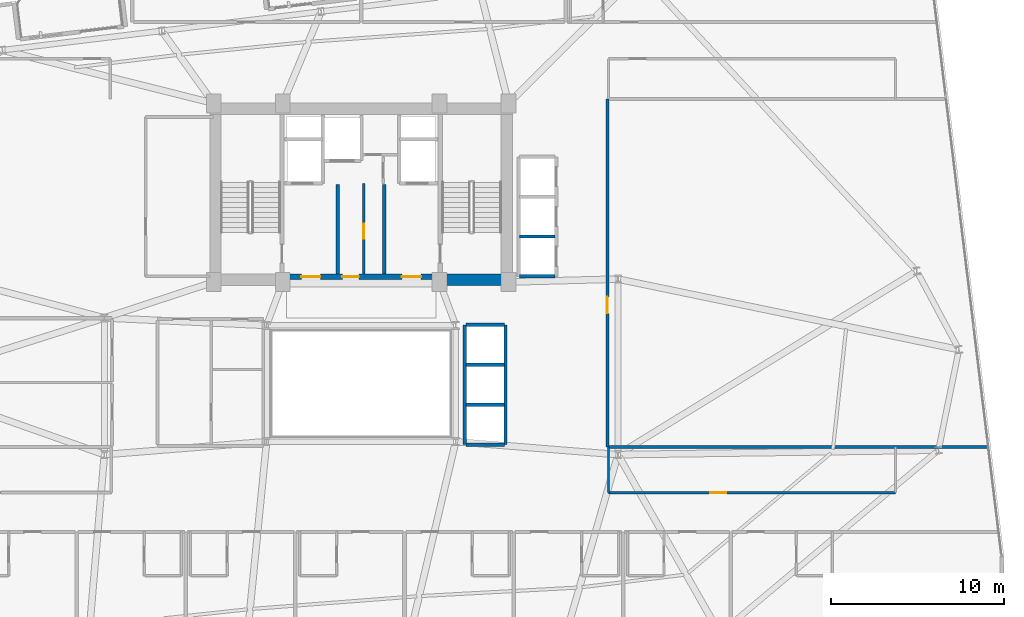
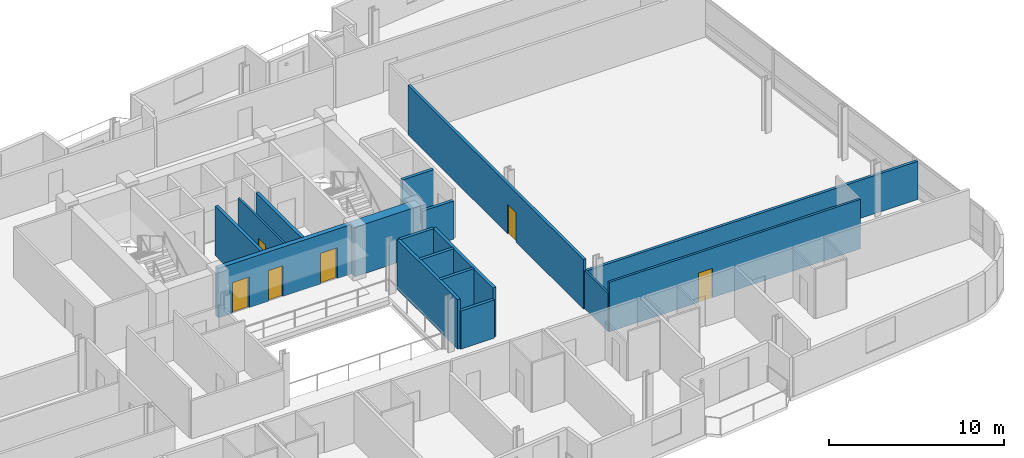
# One storey, part 16 of 23: 17 walls, 6 doors, 6 openings.
"""IFC4 building model written with IfcOpenShell, lengths in metres."""

from ifc_helpers import new_model, si_unit, direction, frame, frame_2d, origin, place, context, subcontext, project, spatial, rectangle, extrude, material, layer, layer_set, type_object, element, fill, save


model = new_model("IFC4")

# Units and contexts
model_context = context("Model", 3, precision=1e-05, world=origin(), true_north=direction((0.0, 1.0)))
body_context = subcontext(model_context, "Body", "Model", "MODEL_VIEW")
ifc_project = project(units=[si_unit("LENGTHUNIT", "METRE"), si_unit("AREAUNIT", "SQUARE_METRE"), si_unit("VOLUMEUNIT", "CUBIC_METRE"), si_unit("PLANEANGLEUNIT", "RADIAN"), si_unit("MASSUNIT", "GRAM", prefix="KILO")], contexts=[model_context])

# Site, building, storey
site_placement = place(None, origin())
site = spatial("IfcSite", under=ifc_project, at=site_placement, CompositionType="ELEMENT")
building_placement = place(site_placement, origin())
building = spatial("IfcBuilding", under=site, at=building_placement, Name="Varnelok Gate Tower", CompositionType="ELEMENT")
storey_placement = place(building_placement, frame((0.0, 0.0, 200.5)))
storey = spatial("IfcBuildingStorey", under=building, at=storey_placement, Name="L51", CompositionType="ELEMENT", Elevation=200.5)

# Wall, opening, door
ifc_material_1 = material(Name="Gypsum Plasterboard Acoustic Partition", Category="gypsum")
ifc_layer_1 = layer(ifc_material_1, 0.179931640625)
ifc_layer_set_1 = layer_set([ifc_layer_1], Name="Gypsum Plasterboard Acoustic Partition")
wall_type_1 = type_object("IfcWallType", Name="PW-CORR-180", PredefinedType="PARTITIONING", material=ifc_layer_set_1)
wall_1_placement = place(storey_placement, frame((53.389892578125, 19.239990234375, 0.0), z_axis=(0.0, 0.0, 1.0), x_axis=(0.0, 1.0, 0.0)))
wall_1 = element("IfcWall", 1, at=wall_1_placement, inside=storey, type_object=wall_type_1, Name="Interior Partition", PredefinedType="PARTITIONING", context=body_context, shape_type="SweptSolid", body=[
    extrude(rectangle(XDim=20.06005859375, YDim=0.179931640625, at=frame_2d((10.030029296875, 0.0))), origin(), (0.0, 0.0, 1.0), 3.449951171875),
])
opening_1_placement = place(wall_1_placement, frame((7.699951171875, 0.0, 0.0)))
opening_1 = element("IfcOpeningElement", 2, at=opening_1_placement, cuts=wall_1, Name="Opening D-I2", PredefinedType="OPENING", context=body_context, shape_type="SweptSolid", body=[
    extrude(rectangle(XDim=0.949951171875, YDim=2.050048828125, at=frame_2d((0.47509765625, 1.02490234375))), frame((0.0, 0.099853515625, 0.0), z_axis=(0.0, -1.0, 0.0), x_axis=(1.0, 0.0, 0.0)), (0.0, 0.0, 1.0), 0.199951171875),
])
ifc_material_2 = material(Name="Engineered Hardwood Timber", Category="wood")
door_type_1 = type_object("IfcDoorType", Name="DR-INT-950", OperationType="NOTDEFINED", PredefinedType="DOOR", material=ifc_material_2)
door_1_placement = place(opening_1_placement, origin())
door_1 = element("IfcDoor", 3, at=door_1_placement, inside=storey, type_object=door_type_1, Name="L51 East Club Door", OperationType="SINGLE_SWING_RIGHT", OverallHeight=2.050048828125, OverallWidth=0.949951171875, PredefinedType="DOOR", context=body_context, shape_type="SweptSolid", body=[
    extrude(rectangle(XDim=0.949951171875, YDim=2.050048828125, at=frame_2d((0.47509765625, 1.02490234375))), frame((0.0, 0.02490234375, 0.0), z_axis=(0.0, -1.0, 0.0), x_axis=(1.0, 0.0, 0.0)), (0.0, 0.0, 1.0), 0.050048828125),
])
fill(opening_1, door_1)

# Walls
wall_2_placement = place(storey_placement, frame((53.389892578125, 19.239990234375, 0.0), z_axis=(0.0, 0.0, 1.0), x_axis=(1.0, 0.0, 0.0)))
element("IfcWall", 4, at=wall_2_placement, inside=storey, type_object=wall_type_1, Name="Interior Partition", PredefinedType="PARTITIONING", context=body_context, shape_type="SweptSolid", body=[
    extrude(rectangle(XDim=21.922119140625, YDim=0.179931640625, at=frame_2d((10.9609375, 0.0))), origin(), (0.0, 0.0, 1.0), 2.662109375),
])
ifc_layer_2 = layer(ifc_material_1, 0.125)
ifc_layer_set_2 = layer_set([ifc_layer_2], Name="Gypsum Plasterboard Acoustic Partition")
wall_type_2 = type_object("IfcWallType", Name="PW-PART-125", PredefinedType="PARTITIONING", material=ifc_layer_set_2)
wall_3_placement = place(storey_placement, frame((53.449951171875, 16.610107421875, 0.0), z_axis=(0.0, 0.0, 1.0), x_axis=(0.0, 1.0, 0.0)))
element("IfcWall", 5, at=wall_3_placement, inside=storey, type_object=wall_type_2, Name="Interior Partition", PredefinedType="PARTITIONING", context=body_context, shape_type="SweptSolid", body=[
    extrude(rectangle(XDim=2.6298828125, YDim=0.125, at=frame_2d((1.31494140625, 0.0))), origin(), (0.0, 0.0, 1.0), 2.662109375),
])

# Wall, opening, door
wall_4_placement = place(storey_placement, frame((39.35009765625, 29.199951171875, 0.0), z_axis=(0.0, 0.0, 1.0), x_axis=(0.0, 1.0, 0.0)))
wall_4 = element("IfcWall", 6, at=wall_4_placement, inside=storey, type_object=wall_type_2, Name="Interior Partition", PredefinedType="PARTITIONING", context=body_context, shape_type="SweptSolid", body=[
    extrude(rectangle(XDim=5.219970703125, YDim=0.125, at=frame_2d((2.60986328125, 0.0))), origin(), (0.0, 0.0, 1.0), 3.449951171875),
])
opening_2_placement = place(wall_4_placement, frame((2.050048828125, 0.0, 0.0)))
opening_2 = element("IfcOpeningElement", 7, at=opening_2_placement, cuts=wall_4, Name="Opening D-RS", PredefinedType="OPENING", context=body_context, shape_type="SweptSolid", body=[
    extrude(rectangle(XDim=0.85009765625, YDim=2.050048828125, at=frame_2d((0.425048828125, 1.02490234375))), frame((0.0, 0.072509765625, 0.0), z_axis=(0.0, -1.0, 0.0), x_axis=(1.0, 0.0, 0.0)), (0.0, 0.0, 1.0), 0.14501953125),
])
ifc_material_3 = material(Name="Galvanized Steel Grade S350GD", Category="steel")
door_type_2 = type_object("IfcDoorType", Name="DR-RISER-850", OperationType="NOTDEFINED", PredefinedType="DOOR", material=ifc_material_3)
door_2_placement = place(opening_2_placement, origin())
door_2 = element("IfcDoor", 8, at=door_2_placement, inside=storey, type_object=door_type_2, Name="L51 Housekeeping Linen Door", OperationType="SINGLE_SWING_RIGHT", OverallHeight=2.050048828125, OverallWidth=0.85009765625, PredefinedType="DOOR", context=body_context, shape_type="SweptSolid", body=[
    extrude(rectangle(XDim=0.85009765625, YDim=2.050048828125, at=frame_2d((0.425048828125, 1.02490234375))), frame((0.0, 0.02490234375, 0.0), z_axis=(0.0, -1.0, 0.0), x_axis=(1.0, 0.0, 0.0)), (0.0, 0.0, 1.0), 0.050048828125),
])
fill(opening_2, door_2)

ifc_layer_3 = layer(ifc_material_1, 0.14990234375)
ifc_layer_set_3 = layer_set([ifc_layer_3], Name="Gypsum Plasterboard Acoustic Partition")
wall_type_3 = type_object("IfcWallType", Name="PW-PART-150", PredefinedType="PARTITIONING", material=ifc_layer_set_3)
wall_5_placement = place(storey_placement, frame((53.449951171875, 16.610107421875, 0.0), z_axis=(0.0, 0.0, 1.0), x_axis=(1.0, 0.0, 0.0)))
wall_5 = element("IfcWall", 9, at=wall_5_placement, inside=storey, type_object=wall_type_3, Name="Interior Partition", PredefinedType="PARTITIONING", context=body_context, shape_type="SweptSolid", body=[
    extrude(rectangle(XDim=16.550048828125, YDim=0.14990234375, at=frame_2d((8.27490234375, 0.0))), origin(), (0.0, 0.0, 1.0), 3.449951171875),
])
opening_3_placement = place(wall_5_placement, frame((5.87255859375, 0.0, 0.0)))
opening_3 = element("IfcOpeningElement", 10, at=opening_3_placement, cuts=wall_5, Name="Opening D-I3", PredefinedType="OPENING", context=body_context, shape_type="SweptSolid", body=[
    extrude(rectangle(XDim=0.919921875, YDim=2.050048828125, at=frame_2d((0.4599609375, 1.02490234375))), frame((0.0, 0.0849609375, 0.0), z_axis=(0.0, -1.0, 0.0), x_axis=(1.0, 0.0, 0.0)), (0.0, 0.0, 1.0), 0.169921875),
])
door_type_3 = type_object("IfcDoorType", Name="DR-INT-920", OperationType="NOTDEFINED", PredefinedType="DOOR", material=ifc_material_2)
door_3_placement = place(opening_3_placement, origin())
door_3 = element("IfcDoor", 11, at=door_3_placement, inside=storey, type_object=door_type_3, Name="L51 Atrium Room 2 Door", OperationType="SINGLE_SWING_LEFT", OverallHeight=2.050048828125, OverallWidth=0.919921875, PredefinedType="DOOR", context=body_context, shape_type="SweptSolid", body=[
    extrude(rectangle(XDim=0.919921875, YDim=2.050048828125, at=frame_2d((0.4599609375, 1.02490234375))), frame((0.0, 0.02490234375, 0.0), z_axis=(0.0, -1.0, 0.0), x_axis=(1.0, 0.0, 0.0)), (0.0, 0.0, 1.0), 0.050048828125),
])
fill(opening_3, door_3)

# Walls
ifc_material_4 = material(Name="Concrete C35/45", Category="concrete")
ifc_layer_4 = layer(ifc_material_4, 0.199951171875)
ifc_layer_set_4 = layer_set([ifc_layer_4], Name="Concrete C35/45")
wall_type_4 = type_object("IfcWallType", Name="PW-SHAFT-200", PredefinedType="PARTITIONING", material=ifc_layer_set_4)
for number, where, z_axis, x_axis, name in (
    (12, (37.860107421875, 29.199951171875, 0.0), (0.0, 0.0, 1.0), (0.0, 1.0, 0.0), "L51 West FF Lobby Rated Wall"),
    (13, (40.5400390625, 29.199951171875, 0.0), (0.0, 0.0, 1.0), (0.0, 1.0, 0.0), "L51 East FF Lobby Rated Wall"),
):
    element("IfcWall", number, at=place(storey_placement, frame(where, z_axis=z_axis, x_axis=x_axis)), inside=storey, type_object=wall_type_4, Name=name, PredefinedType="PARTITIONING", context=body_context, shape_type="SweptSolid", body=[
        extrude(rectangle(XDim=5.179931640625, YDim=0.199951171875, at=frame_2d((2.58984375, 0.0))), origin(), (0.0, 0.0, 1.0), 3.449951171875),
    ])
wall_6_placement = place(storey_placement, frame((48.320068359375, 31.375, 0.0), z_axis=(0.0, 0.0, 1.0), x_axis=(1.0, 0.0, 0.0)))
element("IfcWall", 14, at=wall_6_placement, inside=storey, type_object=wall_type_4, Name="L51 PM1 Divider", PredefinedType="PARTITIONING", context=body_context, shape_type="SweptSolid", body=[
    extrude(rectangle(XDim=2.059814453125, YDim=0.199951171875, at=frame_2d((1.02978515625, 0.0))), origin(), (0.0, 0.0, 1.0), 3.449951171875),
])
wall_7_placement = place(storey_placement, frame((48.320068359375, 29.080078125, 0.0), z_axis=(0.0, 0.0, 1.0), x_axis=(1.0, 0.0, 0.0)))
element("IfcWall", 15, at=wall_7_placement, inside=storey, type_object=wall_type_4, Name="L51 PM Bank South Wall", PredefinedType="PARTITIONING", context=body_context, shape_type="SweptSolid", body=[
    extrude(rectangle(XDim=2.059814453125, YDim=0.199951171875, at=frame_2d((1.02978515625, 0.0))), origin(), (0.0, 0.0, 1.0), 2.662109375),
])
for number, where, z_axis, x_axis, name in (
    (16, (45.239990234375, 21.675048828125, 0.0), (0.0, 0.0, 1.0), (1.0, 0.0, 0.0), "L51 PH1 Divider"),
    (17, (45.239990234375, 23.97509765625, 0.0), (0.0, 0.0, 1.0), (1.0, 0.0, 0.0), "L51 PH2 Divider"),
):
    element("IfcWall", number, at=place(storey_placement, frame(where, z_axis=z_axis, x_axis=x_axis)), inside=storey, type_object=wall_type_4, Name=name, PredefinedType="PARTITIONING", context=body_context, shape_type="SweptSolid", body=[
        extrude(rectangle(XDim=2.219970703125, YDim=0.199951171875, at=frame_2d((1.10986328125, 0.0))), origin(), (0.0, 0.0, 1.0), 3.449951171875),
    ])
wall_8_placement = place(storey_placement, frame((45.239990234375, 19.3798828125, 0.0), z_axis=(0.0, 0.0, 1.0), x_axis=(1.0, 0.0, 0.0)))
element("IfcWall", 18, at=wall_8_placement, inside=storey, type_object=wall_type_4, Name="L51 PH Bank South Wall", PredefinedType="PARTITIONING", context=body_context, shape_type="SweptSolid", body=[
    extrude(rectangle(XDim=2.219970703125, YDim=0.199951171875, at=frame_2d((1.10986328125, 0.0))), origin(), (0.0, 0.0, 1.0), 2.662109375),
])
wall_9_placement = place(storey_placement, frame((45.239990234375, 26.280029296875, 0.0), z_axis=(0.0, 0.0, 1.0), x_axis=(1.0, 0.0, 0.0)))
element("IfcWall", 19, at=wall_9_placement, inside=storey, type_object=wall_type_4, Name="L51 PH Bank North Wall", PredefinedType="PARTITIONING", context=body_context, shape_type="SweptSolid", body=[
    extrude(rectangle(XDim=2.219970703125, YDim=0.199951171875, at=frame_2d((1.10986328125, 0.0))), origin(), (0.0, 0.0, 1.0), 3.449951171875),
])
for number, where, z_axis, x_axis, name in (
    (20, (45.179931640625, 19.3798828125, 0.0), (0.0, 0.0, 1.0), (0.0, 1.0, 0.0), "L51 PH Bank Atrium Wall"),
    (21, (47.52001953125, 19.3798828125, 0.0), (0.0, 0.0, 1.0), (0.0, 1.0, 0.0), "L51 PH Bank Front Wall"),
):
    element("IfcWall", number, at=place(storey_placement, frame(where, z_axis=z_axis, x_axis=x_axis)), inside=storey, type_object=wall_type_4, Name=name, PredefinedType="PARTITIONING", context=body_context, shape_type="SweptSolid", body=[
        extrude(rectangle(XDim=6.900146484375, YDim=0.199951171875, at=frame_2d((3.4501953125, 0.0))), origin(), (0.0, 0.0, 1.0), 3.449951171875),
    ])
ifc_material_5 = material(Name="Concrete C60/75", Category="concrete")
ifc_layer_5 = layer(ifc_material_5, 0.64990234375)
ifc_layer_set_5 = layer_set([ifc_layer_5], Name="Concrete C60/75")
wall_type_5 = type_object("IfcWallType", Name="SW-CORE-650", PredefinedType="SHEAR", material=ifc_layer_set_5)
wall_10_placement = place(storey_placement, frame((43.60009765625, 28.875, 0.0), z_axis=(0.0, 0.0, 1.0), x_axis=(1.0, 0.0, 0.0)))
element("IfcWall", 22, at=wall_10_placement, inside=storey, type_object=wall_type_5, Name="L51 Rear Core South-East Shear Wall", PredefinedType="SHEAR", context=body_context, shape_type="SweptSolid", body=[
    extrude(rectangle(XDim=4.31982421875, YDim=0.64990234375, at=frame_2d((2.159912109375, 0.0))), origin(), (0.0, 0.0, 1.0), 3.449951171875),
])

# Wall, openings, doors
ifc_layer_6 = layer(ifc_material_5, 0.300048828125)
ifc_layer_set_6 = layer_set([ifc_layer_6], Name="Concrete C60/75")
wall_type_6 = type_object("IfcWallType", Name="SW-SHAFT-300", PredefinedType="SHEAR", material=ifc_layer_set_6)
wall_11_placement = place(storey_placement, frame((34.800048828125, 29.050048828125, 0.0), z_axis=(0.0, 0.0, 1.0), x_axis=(1.0, 0.0, 0.0)))
wall_11 = element("IfcWall", 23, at=wall_11_placement, inside=storey, type_object=wall_type_6, Name="L51 Rear Core Central Lobby Shear Wall", PredefinedType="SHEAR", context=body_context, shape_type="SweptSolid", body=[
    extrude(rectangle(XDim=8.800048828125, YDim=0.300048828125, at=frame_2d((4.39990234375, 0.0))), origin(), (0.0, 0.0, 1.0), 3.449951171875),
])
opening_4_placement = place(wall_11_placement, frame((0.949951171875, 0.0, 0.0)))
opening_4 = element("IfcOpeningElement", 24, at=opening_4_placement, cuts=wall_11, Name="Opening D-FF", PredefinedType="OPENING", context=body_context, shape_type="SweptSolid", body=[
    extrude(rectangle(XDim=1.10009765625, YDim=2.14990234375, at=frame_2d((0.550048828125, 1.074951171875))), frame((0.0, 0.159912109375, 0.0), z_axis=(0.0, -1.0, 0.0), x_axis=(1.0, 0.0, 0.0)), (0.0, 0.0, 1.0), 0.320068359375),
])
opening_5_placement = place(wall_11_placement, frame((6.75, 0.0, 0.0)))
opening_5 = element("IfcOpeningElement", 25, at=opening_5_placement, cuts=wall_11, Name="Opening D-FF", PredefinedType="OPENING", context=body_context, shape_type="SweptSolid", body=[
    extrude(rectangle(XDim=1.10009765625, YDim=2.14990234375, at=frame_2d((0.550048828125, 1.074951171875))), frame((0.0, 0.159912109375, 0.0), z_axis=(0.0, -1.0, 0.0), x_axis=(1.0, 0.0, 0.0)), (0.0, 0.0, 1.0), 0.320068359375),
])
opening_6_placement = place(wall_11_placement, frame((3.320068359375, 0.0, 0.0)))
opening_6 = element("IfcOpeningElement", 26, at=opening_6_placement, cuts=wall_11, Name="Opening D-CR", PredefinedType="OPENING", context=body_context, shape_type="SweptSolid", body=[
    extrude(rectangle(XDim=0.949951171875, YDim=2.14990234375, at=frame_2d((0.47509765625, 1.074951171875))), frame((0.0, 0.159912109375, 0.0), z_axis=(0.0, -1.0, 0.0), x_axis=(1.0, 0.0, 0.0)), (0.0, 0.0, 1.0), 0.320068359375),
])
door_type_4 = type_object("IfcDoorType", Name="DR-CORR-950", OperationType="NOTDEFINED", PredefinedType="DOOR", material=ifc_material_3)
door_4_placement = place(opening_6_placement, origin())
door_4 = element("IfcDoor", 27, at=door_4_placement, inside=storey, type_object=door_type_4, Name="L51 Core Service Passage Door", OperationType="SINGLE_SWING_LEFT", OverallHeight=2.14990234375, OverallWidth=0.949951171875, PredefinedType="DOOR", context=body_context, shape_type="SweptSolid", body=[
    extrude(rectangle(XDim=0.949951171875, YDim=2.14990234375, at=frame_2d((0.47509765625, 1.074951171875))), frame((0.0, 0.02490234375, 0.0), z_axis=(0.0, -1.0, 0.0), x_axis=(1.0, 0.0, 0.0)), (0.0, 0.0, 1.0), 0.050048828125),
])
fill(opening_6, door_4)
door_type_5 = type_object("IfcDoorType", Name="DR-FFLOB-1100", OperationType="NOTDEFINED", PredefinedType="DOOR", material=ifc_material_3)
door_5_placement = place(opening_4_placement, origin())
door_5 = element("IfcDoor", 28, at=door_5_placement, inside=storey, type_object=door_type_5, Name="L51 West Firefighting Lobby Fire Door", OperationType="SINGLE_SWING_RIGHT", OverallHeight=2.14990234375, OverallWidth=1.10009765625, PredefinedType="DOOR", context=body_context, shape_type="SweptSolid", body=[
    extrude(rectangle(XDim=1.10009765625, YDim=2.14990234375, at=frame_2d((0.550048828125, 1.074951171875))), frame((0.0, 0.02490234375, 0.0), z_axis=(0.0, -1.0, 0.0), x_axis=(1.0, 0.0, 0.0)), (0.0, 0.0, 1.0), 0.050048828125),
])
fill(opening_4, door_5)
door_6_placement = place(opening_5_placement, origin())
door_6 = element("IfcDoor", 29, at=door_6_placement, inside=storey, type_object=door_type_5, Name="L51 East Firefighting Lobby Fire Door", OperationType="SINGLE_SWING_LEFT", OverallHeight=2.14990234375, OverallWidth=1.10009765625, PredefinedType="DOOR", context=body_context, shape_type="SweptSolid", body=[
    extrude(rectangle(XDim=1.10009765625, YDim=2.14990234375, at=frame_2d((0.550048828125, 1.074951171875))), frame((0.0, 0.02490234375, 0.0), z_axis=(0.0, -1.0, 0.0), x_axis=(1.0, 0.0, 0.0)), (0.0, 0.0, 1.0), 0.050048828125),
])
fill(opening_5, door_6)

save(model, "model.ifc")
